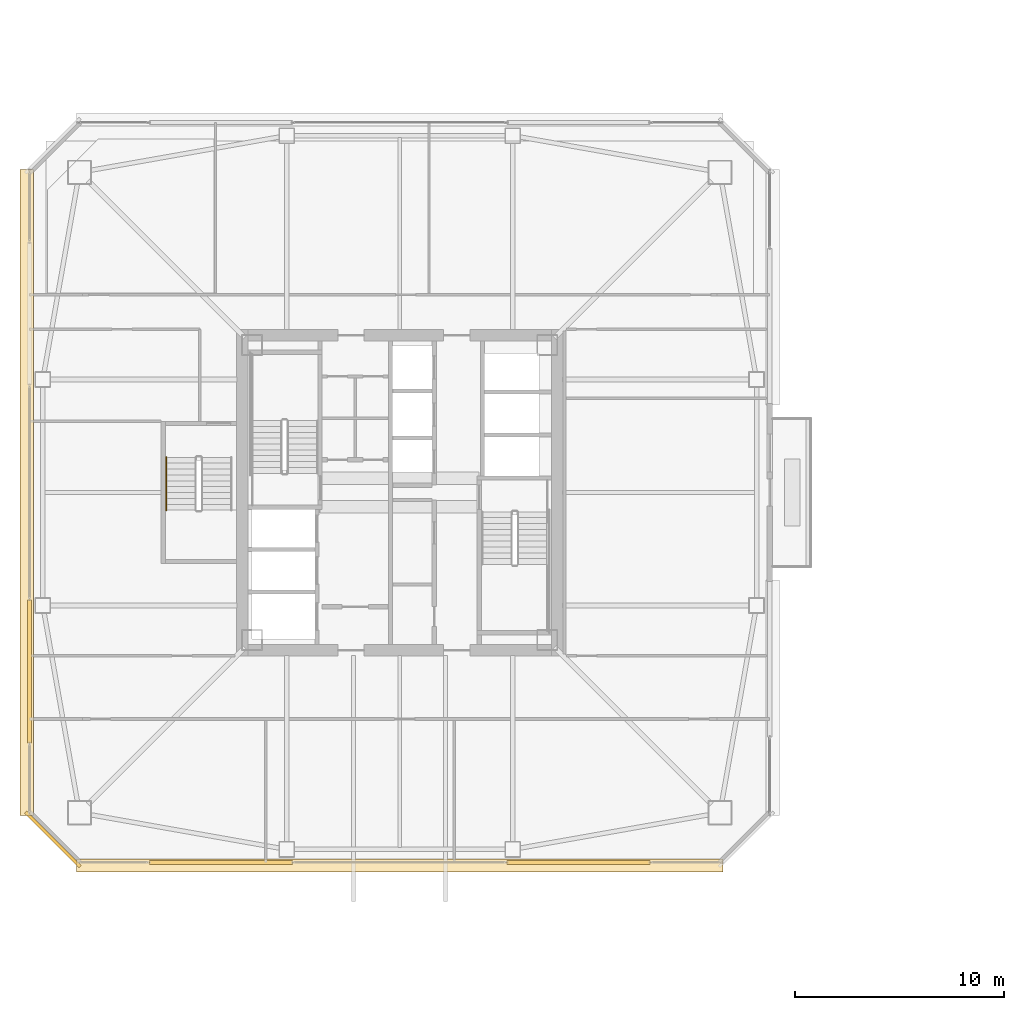
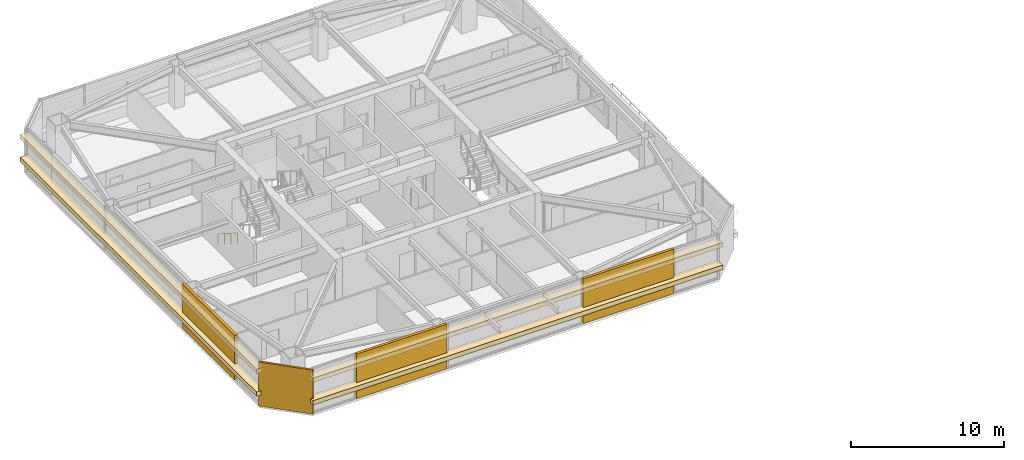
# One storey, part 36 of 41: 8 coverings, 1 railing.
"""IFC4 building model written with IfcOpenShell, lengths in metres."""

from ifc_helpers import new_model, si_unit, direction, frame, origin, origin_2d, place, context, subcontext, project, spatial, rectangle, extrude, material, layer, layer_set, type_object, element, save


model = new_model("IFC4")

# Units and contexts
model_context = context("Model", 3, precision=1e-05, world=origin(), true_north=direction((0.0, 1.0)))
body_context = subcontext(model_context, "Body", "Model", "MODEL_VIEW")
ifc_project = project(units=[si_unit("LENGTHUNIT", "METRE"), si_unit("AREAUNIT", "SQUARE_METRE"), si_unit("VOLUMEUNIT", "CUBIC_METRE"), si_unit("PLANEANGLEUNIT", "RADIAN"), si_unit("MASSUNIT", "GRAM", prefix="KILO")], contexts=[model_context])

# Site, building, storey
site_placement = place(None, origin())
site = spatial("IfcSite", under=ifc_project, at=site_placement, CompositionType="ELEMENT")
building_placement = place(site_placement, origin())
building = spatial("IfcBuilding", under=site, at=building_placement, Name="Tashvorn Skyway Center", CompositionType="ELEMENT")
storey_placement = place(building_placement, frame((0.0, 0.0, 174.75)))
storey = spatial("IfcBuildingStorey", under=building, at=storey_placement, Name="L47", CompositionType="ELEMENT", Elevation=174.75)

# Coverings
ifc_material_1 = material(Name="Precast concrete C40/50", Category="concrete")
ifc_layer_1 = layer(ifc_material_1, 0.199951171875)
ifc_layer_set_1 = layer_set([ifc_layer_1], Name="Precast concrete C40/50")
covering_type_1 = type_object("IfcCoveringType", Name="COV-BRACE-CLAD", PredefinedType="CLADDING", material=ifc_layer_set_1)
for number, where, z_axis, x_axis, name in (
    (1, (50.54443359375, 14.320068359375, 0.0), (0.0, 0.0, 1.0), (-1.0, 0.0, 0.0), "Tower 1 L47 South Unitised Curtain Wall Mega-Brace Cladding Band 1"),
    (2, (33.45556640625, 14.320068359375, 0.0), (0.0, 0.0, 1.0), (-1.0, 0.0, 0.0), "Tower 1 L47 South Unitised Curtain Wall Mega-Brace Cladding Band 2"),
    (3, (24.320068359375, 23.45556640625, 0.0), (0.0, 0.0, 1.0), (0.0, 1.0, 0.0), "Tower 1 L47 West Unitised Curtain Wall Mega-Brace Cladding Band 1"),
):
    element("IfcCovering", number, at=place(storey_placement, frame(where, z_axis=z_axis, x_axis=x_axis)), inside=storey, type_object=covering_type_1, Name=name, PredefinedType="CLADDING", context=body_context, shape_type="SweptSolid", body=[
        extrude(rectangle(XDim=6.83544921875, YDim=0.199951171875, at=origin_2d()), origin(), (0.0, 0.0, 1.0), 3.550048828125),
    ])
ifc_material_2 = material(Name="Perforated ceramic-coated bronze aluminium solar screen", Category="aluminium")
ifc_layer_2 = layer(ifc_material_2, 0.85009765625)
ifc_layer_set_2 = layer_set([ifc_layer_2], Name="Perforated ceramic-coated bronze aluminium solar screen")
covering_type_2 = type_object("IfcCoveringType", Name="COV-SOLAR-BAND", PredefinedType="CLADDING", material=ifc_layer_set_2)
for number, where, z_axis, x_axis, name in (
    (4, (42.0, 14.179931640625, 0.919921875), (0.0, 0.0, 1.0), (-1.0, 0.0, 0.0), "L47 Perforated Ceramic-Metal Solar Screen Louvre Band South 1"),
    (5, (42.0, 14.179931640625, 2.7197265625), (0.0, 0.0, 1.0), (-1.0, 0.0, 0.0), "L47 Perforated Ceramic-Metal Solar Screen Louvre Band South 2"),
    (6, (24.179931640625, 32.0, 0.919921875), (0.0, 0.0, 1.0), (0.0, 1.0, 0.0), "L47 Perforated Ceramic-Metal Solar Screen Louvre Band West 1"),
    (7, (24.179931640625, 32.0, 2.7197265625), (0.0, 0.0, 1.0), (0.0, 1.0, 0.0), "L47 Perforated Ceramic-Metal Solar Screen Louvre Band West 2"),
):
    element("IfcCovering", number, at=place(storey_placement, frame(where, z_axis=z_axis, x_axis=x_axis)), inside=storey, type_object=covering_type_2, Name=name, PredefinedType="CLADDING", context=body_context, shape_type="SweptSolid", body=[
        extrude(rectangle(XDim=30.8798828125, YDim=0.639892578125, at=origin_2d()), origin(), (0.0, 0.0, 1.0), 0.360107421875),
    ])
ifc_layer_3 = layer(ifc_material_1, 0.35009765625)
ifc_layer_set_3 = layer_set([ifc_layer_3], Name="Precast concrete C40/50")
covering_type_3 = type_object("IfcCoveringType", Name="COV-STONE-TRIM", PredefinedType="CLADDING", material=ifc_layer_set_3)
covering_placement = place(storey_placement, frame((25.429931640625, 15.429931640625, 0.02001953125), z_axis=(0.0, 0.0, 1.0), x_axis=(-0.707106781187, 0.707106781187, 0.0)))
element("IfcCovering", 8, at=covering_placement, inside=storey, type_object=covering_type_3, Name="Tower 1 L47 SW Mojave Limestone Corner Quoin", PredefinedType="CLADDING", context=body_context, shape_type="SweptSolid", body=[
    extrude(rectangle(XDim=3.695556640625, YDim=0.139892578125, at=origin_2d()), origin(), (0.0, 0.0, 1.0), 3.510009765625),
])

# Railing
ifc_material_3 = material(Name="Brushed stainless steel 316", Category="steel")
railing_type = type_object("IfcRailingType", Name="RAIL-HAND-920", PredefinedType="HANDRAIL", material=ifc_material_3)
railing_placement = place(storey_placement, frame((30.85009765625, 33.679931640625, 0.177490234375)))
element("IfcRailing", 9, at=railing_placement, inside=storey, type_object=railing_type, Name="L47 ST-T1-3 stair handrail 1", PredefinedType="HANDRAIL", context=body_context, shape_type="SweptSolid", body=[
    extrude(rectangle(XDim=0.048095703125, YDim=0.048095703125, at=origin_2d()), frame((0.0, 0.0, 0.8759765625), z_axis=(0.0, -0.84460694969, 0.535386869969), x_axis=(1.0, 0.0, 0.0)), (0.0, 0.0, 1.0), 2.983642578125),
    extrude(rectangle(XDim=0.0419921875, YDim=0.0419921875, at=origin_2d()), origin(), (0.0, 0.0, 1.0), 0.851806640625),
    extrude(rectangle(XDim=0.0419921875, YDim=0.0419921875, at=origin_2d()), frame((0.0, -0.840087890625, 0.532470703125)), (0.0, 0.0, 1.0), 0.851806640625),
    extrude(rectangle(XDim=0.0419921875, YDim=0.0419921875, at=origin_2d()), frame((0.0, -1.679931640625, 1.06494140625)), (0.0, 0.0, 1.0), 0.851806640625),
    extrude(rectangle(XDim=0.0419921875, YDim=0.0419921875, at=origin_2d()), frame((0.0, -2.52001953125, 1.597412109375)), (0.0, 0.0, 1.0), 0.851806640625),
])

save(model, "model.ifc")
